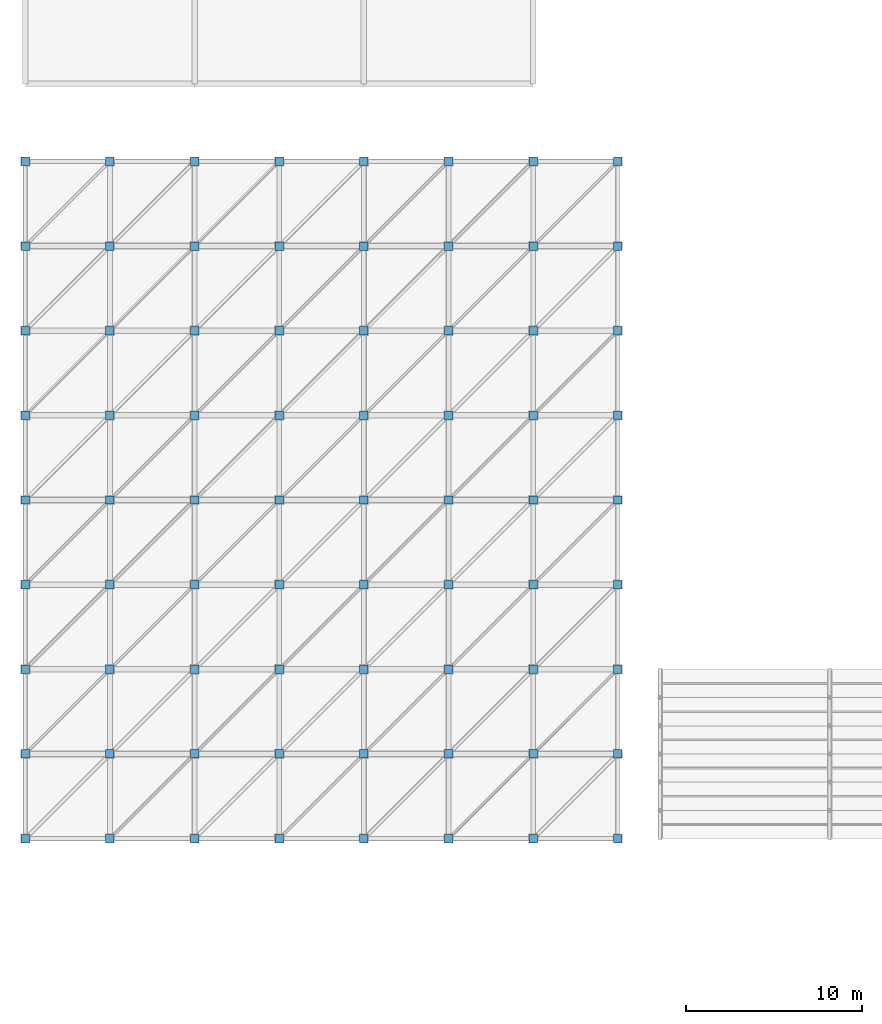
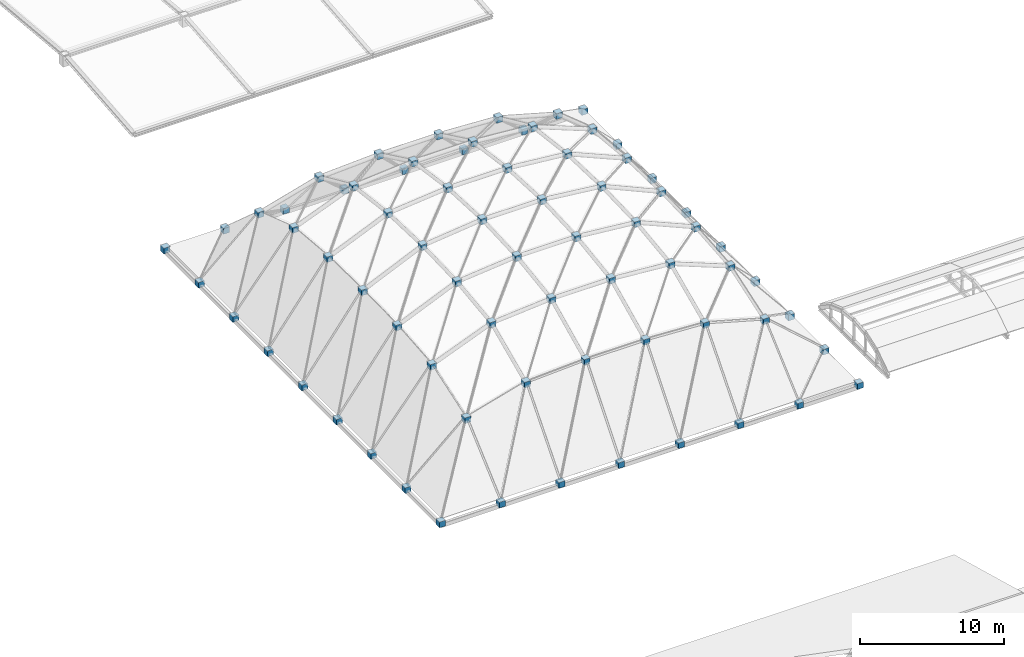
# One storey, part 69 of 70: 72 discrete accessories.
"""IFC4 building model written with IfcOpenShell, lengths in metres."""

from ifc_helpers import new_model, si_unit, direction, frame, origin, origin_2d, place, context, subcontext, project, spatial, rectangle, extrude, material, type_object, element, save


model = new_model("IFC4")

# Units and contexts
model_context = context("Model", 3, precision=1e-05, world=origin(), true_north=direction((0.0, 1.0)))
body_context = subcontext(model_context, "Body", "Model", "MODEL_VIEW")
ifc_project = project(units=[si_unit("LENGTHUNIT", "METRE"), si_unit("AREAUNIT", "SQUARE_METRE"), si_unit("VOLUMEUNIT", "CUBIC_METRE"), si_unit("PLANEANGLEUNIT", "RADIAN"), si_unit("MASSUNIT", "GRAM", prefix="KILO")], contexts=[model_context])

# Site, building, storey
site_placement = place(None, origin())
site = spatial("IfcSite", under=ifc_project, at=site_placement, CompositionType="ELEMENT")
building_placement = place(site_placement, origin())
building = spatial("IfcBuilding", under=site, at=building_placement, Name="Mavantir Sound Aquarium", CompositionType="ELEMENT")
storey_placement = place(building_placement, frame((0.0, 0.0, 27.0)))
storey = spatial("IfcBuildingStorey", under=building, at=storey_placement, Name="RF", CompositionType="ELEMENT", Elevation=27.0)

# Discrete accessories
ifc_material = material(Name="Cast Stainless Steel Node Connector", Category="steel")
discrete_accessory_type = type_object("IfcDiscreteAccessoryType", Name="ACC-NODE-SHOE", PredefinedType="SHOE", material=ifc_material)
for number, where, z_axis, x_axis, name in (
    (1, (0.0, 40.800048828125, -7.43994140625), (0.0, 0.0, 1.0), (1.0, 0.0, 0.0), "Gridshell closed node connector KN-01"),
    (2, (0.0, 45.60009765625, -7.43994140625), (0.0, 0.0, 1.0), (1.0, 0.0, 0.0), "Gridshell closed node connector KN-02"),
    (3, (0.0, 50.39990234375, -7.43994140625), (0.0, 0.0, 1.0), (1.0, 0.0, 0.0), "Gridshell closed node connector KN-03"),
    (4, (0.0, 55.199951171875, -7.43994140625), (0.0, 0.0, 1.0), (1.0, 0.0, 0.0), "Gridshell closed node connector KN-04"),
    (5, (0.0, 60.0, -7.43994140625), (0.0, 0.0, 1.0), (1.0, 0.0, 0.0), "Gridshell closed node connector KN-05"),
    (6, (0.0, 64.800048828125, -7.43994140625), (0.0, 0.0, 1.0), (1.0, 0.0, 0.0), "Gridshell closed node connector KN-06"),
    (7, (0.0, 69.60009765625, -7.43994140625), (0.0, 0.0, 1.0), (1.0, 0.0, 0.0), "Gridshell closed node connector KN-07"),
    (8, (0.0, 74.39990234375, -7.43994140625), (0.0, 0.0, 1.0), (1.0, 0.0, 0.0), "Gridshell closed node connector KN-08"),
    (9, (0.0, 79.199951171875, -7.43994140625), (0.0, 0.0, 1.0), (1.0, 0.0, 0.0), "Gridshell closed node connector KN-09"),
    (10, (4.800048828125, 40.800048828125, -7.43994140625), (0.0, 0.0, 1.0), (1.0, 0.0, 0.0), "Gridshell closed node connector KN-10"),
    (11, (4.800048828125, 45.60009765625, -3.1787109375), (0.0, 0.0, 1.0), (1.0, 0.0, 0.0), "Gridshell closed node connector KN-11"),
    (12, (4.800048828125, 50.39990234375, -1.5556640625), (0.0, 0.0, 1.0), (1.0, 0.0, 0.0), "Gridshell closed node connector KN-12"),
    (13, (4.800048828125, 55.199951171875, -1.131591796875), (0.0, 0.0, 1.0), (1.0, 0.0, 0.0), "Gridshell closed node connector KN-13"),
    (14, (4.800048828125, 60.0, -1.04345703125), (0.0, 0.0, 1.0), (1.0, 0.0, 0.0), "Gridshell closed node connector KN-14"),
    (15, (4.800048828125, 64.800048828125, -1.131591796875), (0.0, 0.0, 1.0), (1.0, 0.0, 0.0), "Gridshell closed node connector KN-15"),
    (16, (4.800048828125, 69.60009765625, -1.5556640625), (0.0, 0.0, 1.0), (1.0, 0.0, 0.0), "Gridshell closed node connector KN-16"),
    (17, (4.800048828125, 74.39990234375, -3.1787109375), (0.0, 0.0, 1.0), (1.0, 0.0, 0.0), "Gridshell closed node connector KN-17"),
    (18, (4.800048828125, 79.199951171875, -7.43994140625), (0.0, 0.0, 1.0), (1.0, 0.0, 0.0), "Gridshell closed node connector KN-18"),
    (19, (9.60009765625, 40.800048828125, -7.43994140625), (0.0, 0.0, 1.0), (1.0, 0.0, 0.0), "Gridshell closed node connector KN-19"),
    (20, (9.60009765625, 45.60009765625, -1.8291015625), (0.0, 0.0, 1.0), (1.0, 0.0, 0.0), "Gridshell closed node connector KN-20"),
    (21, (9.60009765625, 50.39990234375, 0.3359375), (0.0, 0.0, 1.0), (1.0, 0.0, 0.0), "Gridshell closed node connector KN-21"),
    (22, (9.60009765625, 55.199951171875, 0.934326171875), (0.0, 0.0, 1.0), (1.0, 0.0, 0.0), "Gridshell closed node connector KN-22"),
    (23, (9.60009765625, 60.0, 1.09423828125), (0.0, 0.0, 1.0), (1.0, 0.0, 0.0), "Gridshell closed node connector KN-23"),
    (24, (9.60009765625, 64.800048828125, 0.934326171875), (0.0, 0.0, 1.0), (1.0, 0.0, 0.0), "Gridshell closed node connector KN-24"),
    (25, (9.60009765625, 69.60009765625, 0.3359375), (0.0, 0.0, 1.0), (1.0, 0.0, 0.0), "Gridshell closed node connector KN-25"),
    (26, (9.60009765625, 74.39990234375, -1.8291015625), (0.0, 0.0, 1.0), (1.0, 0.0, 0.0), "Gridshell closed node connector KN-26"),
    (27, (9.60009765625, 79.199951171875, -7.43994140625), (0.0, 0.0, 1.0), (1.0, 0.0, 0.0), "Gridshell closed node connector KN-27"),
    (28, (14.39990234375, 40.800048828125, -7.43994140625), (0.0, 0.0, 1.0), (1.0, 0.0, 0.0), "Gridshell closed node connector KN-28"),
    (29, (14.39990234375, 45.60009765625, -1.57568359375), (0.0, 0.0, 1.0), (1.0, 0.0, 0.0), "Gridshell closed node connector KN-29"),
    (30, (14.39990234375, 50.39990234375, 0.7236328125), (0.0, 0.0, 1.0), (1.0, 0.0, 0.0), "Gridshell closed node connector KN-30"),
    (31, (14.39990234375, 55.199951171875, 1.402587890625), (0.0, 0.0, 1.0), (1.0, 0.0, 0.0), "Gridshell closed node connector KN-31"),
    (32, (14.39990234375, 60.0, 1.6279296875), (0.0, 0.0, 1.0), (1.0, 0.0, 0.0), "Gridshell closed node connector KN-32"),
    (33, (14.39990234375, 64.800048828125, 1.402587890625), (0.0, 0.0, 1.0), (1.0, 0.0, 0.0), "Gridshell closed node connector KN-33"),
    (34, (14.39990234375, 69.60009765625, 0.7236328125), (0.0, 0.0, 1.0), (1.0, 0.0, 0.0), "Gridshell closed node connector KN-34"),
    (35, (14.39990234375, 74.39990234375, -1.57568359375), (0.0, 0.0, 1.0), (1.0, 0.0, 0.0), "Gridshell closed node connector KN-35"),
    (36, (14.39990234375, 79.199951171875, -7.43994140625), (0.0, 0.0, 1.0), (1.0, 0.0, 0.0), "Gridshell closed node connector KN-36"),
    (37, (19.199951171875, 40.800048828125, -7.43994140625), (0.0, 0.0, 1.0), (1.0, 0.0, 0.0), "Gridshell closed node connector KN-37"),
    (38, (19.199951171875, 45.60009765625, -1.57568359375), (0.0, 0.0, 1.0), (1.0, 0.0, 0.0), "Gridshell closed node connector KN-38"),
    (39, (19.199951171875, 50.39990234375, 0.7236328125), (0.0, 0.0, 1.0), (1.0, 0.0, 0.0), "Gridshell closed node connector KN-39"),
    (40, (19.199951171875, 55.199951171875, 1.402587890625), (0.0, 0.0, 1.0), (1.0, 0.0, 0.0), "Gridshell closed node connector KN-40"),
    (41, (19.199951171875, 60.0, 1.6279296875), (0.0, 0.0, 1.0), (1.0, 0.0, 0.0), "Gridshell closed node connector KN-41"),
    (42, (19.199951171875, 64.800048828125, 1.402587890625), (0.0, 0.0, 1.0), (1.0, 0.0, 0.0), "Gridshell closed node connector KN-42"),
    (43, (19.199951171875, 69.60009765625, 0.7236328125), (0.0, 0.0, 1.0), (1.0, 0.0, 0.0), "Gridshell closed node connector KN-43"),
    (44, (19.199951171875, 74.39990234375, -1.57568359375), (0.0, 0.0, 1.0), (1.0, 0.0, 0.0), "Gridshell closed node connector KN-44"),
    (45, (19.199951171875, 79.199951171875, -7.43994140625), (0.0, 0.0, 1.0), (1.0, 0.0, 0.0), "Gridshell closed node connector KN-45"),
    (46, (24.0, 40.800048828125, -7.43994140625), (0.0, 0.0, 1.0), (1.0, 0.0, 0.0), "Gridshell closed node connector KN-46"),
    (47, (24.0, 45.60009765625, -1.8291015625), (0.0, 0.0, 1.0), (1.0, 0.0, 0.0), "Gridshell closed node connector KN-47"),
    (48, (24.0, 50.39990234375, 0.3359375), (0.0, 0.0, 1.0), (1.0, 0.0, 0.0), "Gridshell closed node connector KN-48"),
    (49, (24.0, 55.199951171875, 0.934326171875), (0.0, 0.0, 1.0), (1.0, 0.0, 0.0), "Gridshell closed node connector KN-49"),
    (50, (24.0, 60.0, 1.09423828125), (0.0, 0.0, 1.0), (1.0, 0.0, 0.0), "Gridshell closed node connector KN-50"),
    (51, (24.0, 64.800048828125, 0.934326171875), (0.0, 0.0, 1.0), (1.0, 0.0, 0.0), "Gridshell closed node connector KN-51"),
    (52, (24.0, 69.60009765625, 0.3359375), (0.0, 0.0, 1.0), (1.0, 0.0, 0.0), "Gridshell closed node connector KN-52"),
    (53, (24.0, 74.39990234375, -1.8291015625), (0.0, 0.0, 1.0), (1.0, 0.0, 0.0), "Gridshell closed node connector KN-53"),
    (54, (24.0, 79.199951171875, -7.43994140625), (0.0, 0.0, 1.0), (1.0, 0.0, 0.0), "Gridshell closed node connector KN-54"),
    (55, (28.800048828125, 40.800048828125, -7.43994140625), (0.0, 0.0, 1.0), (1.0, 0.0, 0.0), "Gridshell closed node connector KN-55"),
    (56, (28.800048828125, 45.60009765625, -3.1787109375), (0.0, 0.0, 1.0), (1.0, 0.0, 0.0), "Gridshell closed node connector KN-56"),
    (57, (28.800048828125, 50.39990234375, -1.5556640625), (0.0, 0.0, 1.0), (1.0, 0.0, 0.0), "Gridshell closed node connector KN-57"),
    (58, (28.800048828125, 55.199951171875, -1.131591796875), (0.0, 0.0, 1.0), (1.0, 0.0, 0.0), "Gridshell closed node connector KN-58"),
    (59, (28.800048828125, 60.0, -1.04345703125), (0.0, 0.0, 1.0), (1.0, 0.0, 0.0), "Gridshell closed node connector KN-59"),
    (60, (28.800048828125, 64.800048828125, -1.131591796875), (0.0, 0.0, 1.0), (1.0, 0.0, 0.0), "Gridshell closed node connector KN-60"),
    (61, (28.800048828125, 69.60009765625, -1.5556640625), (0.0, 0.0, 1.0), (1.0, 0.0, 0.0), "Gridshell closed node connector KN-61"),
    (62, (28.800048828125, 74.39990234375, -3.1787109375), (0.0, 0.0, 1.0), (1.0, 0.0, 0.0), "Gridshell closed node connector KN-62"),
    (63, (28.800048828125, 79.199951171875, -7.43994140625), (0.0, 0.0, 1.0), (1.0, 0.0, 0.0), "Gridshell closed node connector KN-63"),
    (64, (33.60009765625, 40.800048828125, -7.43994140625), (0.0, 0.0, 1.0), (1.0, 0.0, 0.0), "Gridshell closed node connector KN-64"),
    (65, (33.60009765625, 45.60009765625, -7.43994140625), (0.0, 0.0, 1.0), (1.0, 0.0, 0.0), "Gridshell closed node connector KN-65"),
    (66, (33.60009765625, 50.39990234375, -7.43994140625), (0.0, 0.0, 1.0), (1.0, 0.0, 0.0), "Gridshell closed node connector KN-66"),
    (67, (33.60009765625, 55.199951171875, -7.43994140625), (0.0, 0.0, 1.0), (1.0, 0.0, 0.0), "Gridshell closed node connector KN-67"),
    (68, (33.60009765625, 60.0, -7.43994140625), (0.0, 0.0, 1.0), (1.0, 0.0, 0.0), "Gridshell closed node connector KN-68"),
    (69, (33.60009765625, 64.800048828125, -7.43994140625), (0.0, 0.0, 1.0), (1.0, 0.0, 0.0), "Gridshell closed node connector KN-69"),
    (70, (33.60009765625, 69.60009765625, -7.43994140625), (0.0, 0.0, 1.0), (1.0, 0.0, 0.0), "Gridshell closed node connector KN-70"),
    (71, (33.60009765625, 74.39990234375, -7.43994140625), (0.0, 0.0, 1.0), (1.0, 0.0, 0.0), "Gridshell closed node connector KN-71"),
    (72, (33.60009765625, 79.199951171875, -7.43994140625), (0.0, 0.0, 1.0), (1.0, 0.0, 0.0), "Gridshell closed node connector KN-72"),
):
    element("IfcDiscreteAccessory", number, at=place(storey_placement, frame(where, z_axis=z_axis, x_axis=x_axis)), inside=storey, type_object=discrete_accessory_type, Name=name, PredefinedType="SHOE", context=body_context, shape_type="SweptSolid", body=[
        extrude(rectangle(XDim=0.47998046875, YDim=0.47998046875, at=origin_2d()), origin(), (0.0, 0.0, 1.0), 0.47998046875),
    ])

save(model, "model.ifc")
